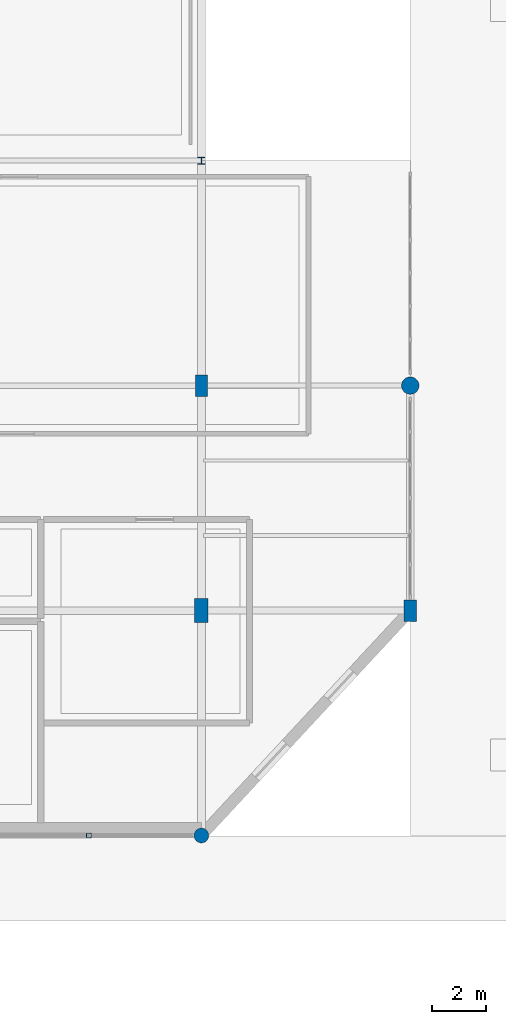
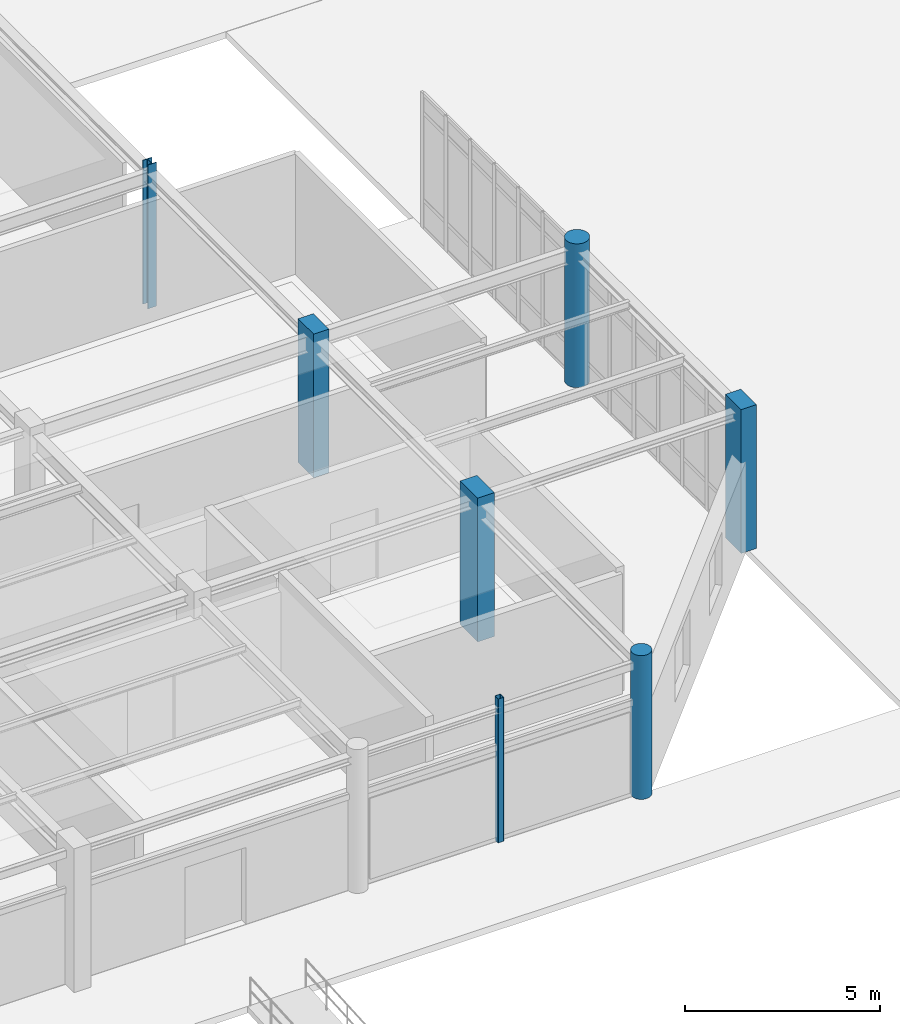
# One storey, part 4 of 101: 7 columns.
"""IFC4 building model written with IfcOpenShell, lengths in metres."""

from ifc_helpers import new_model, si_unit, derived_unit, direction, frame, origin, origin_2d, place, context, subcontext, project, spatial, rectangle, hollow_rectangle, circle, i_section, extrude, material, material_profile, profile_set, type_object, element, save


model = new_model("IFC4")

# Units and contexts
model_context = context("Model", 3, precision=1e-05, world=origin(), true_north=direction((0.0, 1.0)))
body_context = subcontext(model_context, "Body", "Model", "MODEL_VIEW")
ifc_project = project(units=[si_unit("LENGTHUNIT", "METRE"), si_unit("AREAUNIT", "SQUARE_METRE"), si_unit("VOLUMEUNIT", "CUBIC_METRE"), si_unit("PLANEANGLEUNIT", "RADIAN"), si_unit("MASSUNIT", "GRAM", prefix="KILO"), derived_unit("THERMALTRANSMITTANCEUNIT", [(si_unit("POWERUNIT", "WATT"), 1), (si_unit("AREAUNIT", "SQUARE_METRE"), -1), (si_unit("THERMODYNAMICTEMPERATUREUNIT", "KELVIN"), -1)])], contexts=[model_context])

# Site, building, storey
site_placement = place(None, origin())
site = spatial("IfcSite", under=ifc_project, at=site_placement, CompositionType="ELEMENT")
building_placement = place(site_placement, origin())
building = spatial("IfcBuilding", under=site, at=building_placement, Name="Yasenodar Specialist Clinic", CompositionType="ELEMENT")
storey_placement = place(building_placement, origin())
storey = spatial("IfcBuildingStorey", under=building, at=storey_placement, Name="L00", CompositionType="ELEMENT", Elevation=0.0)

# Columns
ifc_material_1 = material(Name="Concrete C35/45", Category="concrete")
ifc_material_profile_1 = material_profile(ifc_material_1, rectangle(XDim=0.449951171875, YDim=0.800048828125, at=origin_2d()), Name="RC 450x800")
ifc_profile_set_1 = profile_set([ifc_material_profile_1], Name="Concrete C35/45")
column_type_1 = type_object("IfcColumnType", Name="COL-RC-450x800", PredefinedType="COLUMN", material=ifc_profile_set_1)
for number, where, z_axis, x_axis, name in (
    (1, (33.60009765625, 16.800048828125, 0.0), (0.0, 0.0, 1.0), (1.0, 0.0, 0.0), "L00 Column V2-060"),
    (2, (41.39990234375, 8.39990234375, 0.0), (0.0, 0.0, 1.0), (1.0, 0.0, 0.0), "L00 Column V2-072"),
):
    element("IfcColumn", number, at=place(storey_placement, frame(where, z_axis=z_axis, x_axis=x_axis)), inside=storey, type_object=column_type_1, Name=name, PredefinedType="COLUMN", context=body_context, shape_type="SweptSolid", body=[
        extrude(rectangle(XDim=0.449951171875, YDim=0.800048828125, at=origin_2d()), origin(), (0.0, 0.0, 1.0), 4.5),
    ])
ifc_material_profile_2 = material_profile(ifc_material_1, rectangle(XDim=0.5, YDim=0.89990234375, at=origin_2d()), Name="RC 500x900")
ifc_profile_set_2 = profile_set([ifc_material_profile_2], Name="Concrete C35/45")
column_type_2 = type_object("IfcColumnType", Name="COL-RC-500x900", PredefinedType="COLUMN", material=ifc_profile_set_2)
column_1_placement = place(storey_placement, frame((33.60009765625, 8.39990234375, 0.0), z_axis=(0.0, 0.0, 1.0), x_axis=(1.0, 0.0, 0.0)))
element("IfcColumn", 3, at=column_1_placement, inside=storey, type_object=column_type_2, Name="L00 Column V2-059", PredefinedType="COLUMN", context=body_context, shape_type="SweptSolid", body=[
    extrude(rectangle(XDim=0.5, YDim=0.89990234375, at=origin_2d()), origin(), (0.0, 0.0, 1.0), 4.5),
])
ifc_material_profile_3 = material_profile(ifc_material_1, circle(Radius=0.27490234375, at=origin_2d()), Name="RC D550")
ifc_profile_set_3 = profile_set([ifc_material_profile_3], Name="Concrete C35/45")
column_type_3 = type_object("IfcColumnType", Name="COL-RC-D550", PredefinedType="COLUMN", material=ifc_profile_set_3)
column_2_placement = place(storey_placement, frame((33.60009765625, 0.0, 0.0), z_axis=(0.0, 0.0, 1.0), x_axis=(1.0, 0.0, 0.0)))
element("IfcColumn", 4, at=column_2_placement, inside=storey, type_object=column_type_3, Name="L00 Column V2-058", PredefinedType="COLUMN", context=body_context, shape_type="SweptSolid", body=[
    extrude(circle(Radius=0.27490234375, at=origin_2d()), origin(), (0.0, 0.0, 1.0), 4.5),
])
ifc_material_profile_4 = material_profile(ifc_material_1, circle(Radius=0.324951171875, at=origin_2d()), Name="RC D650")
ifc_profile_set_4 = profile_set([ifc_material_profile_4], Name="Concrete C35/45")
column_type_4 = type_object("IfcColumnType", Name="COL-RC-D650", PredefinedType="COLUMN", material=ifc_profile_set_4)
column_3_placement = place(storey_placement, frame((41.39990234375, 16.800048828125, 0.0), z_axis=(0.0, 0.0, 1.0), x_axis=(1.0, 0.0, 0.0)))
element("IfcColumn", 5, at=column_3_placement, inside=storey, type_object=column_type_4, Name="L00 Column V2-073", PredefinedType="COLUMN", context=body_context, shape_type="SweptSolid", body=[
    extrude(circle(Radius=0.324951171875, at=origin_2d()), origin(), (0.0, 0.0, 1.0), 4.5),
])
ifc_material_2 = material(Name="Steel S355", Category="steel")
ifc_material_profile_5 = material_profile(ifc_material_2, i_section(OverallWidth=0.260009765625, OverallDepth=0.260009765625, WebThickness=0.010009765625, FlangeThickness=0.017578125, FilletRadius=0.02392578125, at=origin_2d()), Name="HEB 260")
ifc_profile_set_5 = profile_set([ifc_material_profile_5], Name="Steel S355")
column_type_5 = type_object("IfcColumnType", Name="COL-ST-HEB260", PredefinedType="COLUMN", material=ifc_profile_set_5)
column_4_placement = place(storey_placement, frame((33.60009765625, 25.199951171875, 0.0), z_axis=(0.0, 0.0, 1.0), x_axis=(1.0, 0.0, 0.0)))
element("IfcColumn", 6, at=column_4_placement, inside=storey, type_object=column_type_5, Name="L00 Column V4-061", PredefinedType="COLUMN", context=body_context, shape_type="SweptSolid", body=[
    extrude(i_section(OverallWidth=0.260009765625, OverallDepth=0.260009765625, WebThickness=0.010009765625, FlangeThickness=0.017578125, FilletRadius=0.02392578125, at=origin_2d()), origin(), (0.0, 0.0, 1.0), 4.5),
])
ifc_material_profile_6 = material_profile(ifc_material_2, hollow_rectangle(XDim=0.179931640625, YDim=0.179931640625, WallThickness=0.010009765625, InnerFilletRadius=0.014892578125, OuterFilletRadius=0.02490234375, at=origin_2d()), Name="SHS 180x180x10")
ifc_profile_set_6 = profile_set([ifc_material_profile_6], Name="Steel S355")
column_type_6 = type_object("IfcColumnType", Name="PIL-ST-SHS180", PredefinedType="PILASTER", material=ifc_profile_set_6)
column_5_placement = place(storey_placement, frame((29.39990234375, 0.0, 0.0), z_axis=(0.0, 0.0, 1.0), x_axis=(1.0, 0.0, 0.0)))
element("IfcColumn", 7, at=column_5_placement, inside=storey, type_object=column_type_6, Name="L00 Arcade Pilaster 08", PredefinedType="PILASTER", context=body_context, shape_type="SweptSolid", body=[
    extrude(hollow_rectangle(XDim=0.179931640625, YDim=0.179931640625, WallThickness=0.010009765625, InnerFilletRadius=0.014892578125, OuterFilletRadius=0.02490234375, at=origin_2d()), origin(), (0.0, 0.0, 1.0), 4.5),
])

save(model, "model.ifc")
